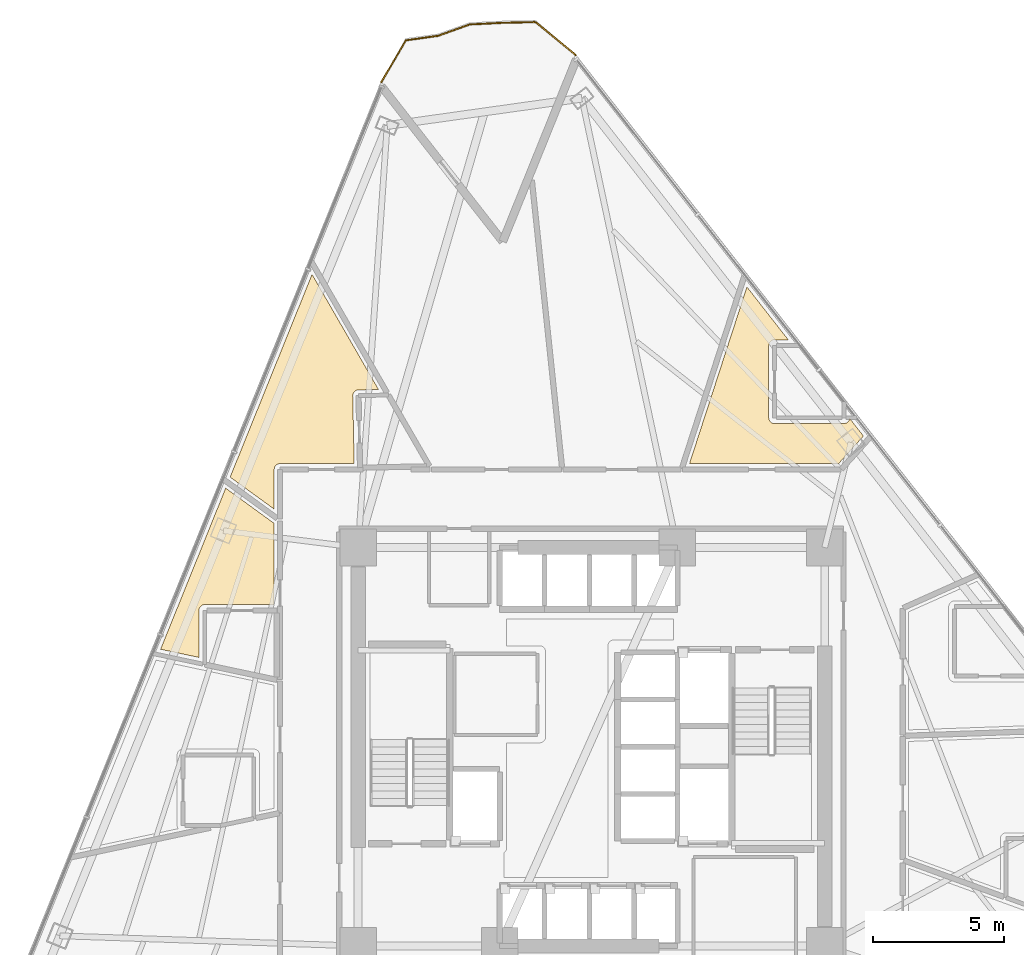
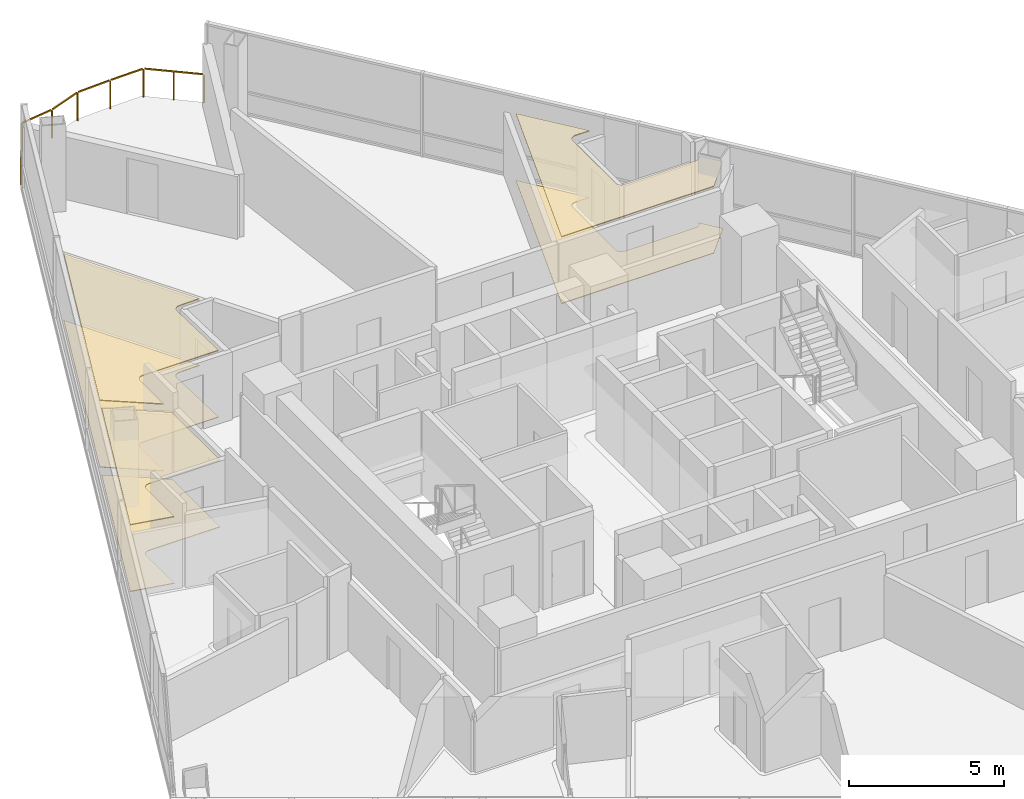
# One storey, part 15 of 15: 6 coverings, 1 railing.
"""IFC4 building model written with IfcOpenShell, lengths in metres."""

from ifc_helpers import new_model, si_unit, direction, frame, origin, origin_2d, place, context, subcontext, project, spatial, polyline, rectangle, outline, extrude, material, layer, layer_set, type_object, element, save


model = new_model("IFC4")

# Units and contexts
model_context = context("Model", 3, precision=1e-05, world=origin(), true_north=direction((0.0, 1.0)))
body_context = subcontext(model_context, "Body", "Model", "MODEL_VIEW")
ifc_project = project(units=[si_unit("LENGTHUNIT", "METRE"), si_unit("AREAUNIT", "SQUARE_METRE"), si_unit("VOLUMEUNIT", "CUBIC_METRE"), si_unit("PLANEANGLEUNIT", "RADIAN"), si_unit("MASSUNIT", "GRAM", prefix="KILO")], contexts=[model_context])

# Site, building, storey
site_placement = place(None, origin())
site = spatial("IfcSite", under=ifc_project, at=site_placement, CompositionType="ELEMENT")
building_placement = place(site_placement, origin())
building = spatial("IfcBuilding", under=site, at=building_placement, Name="Tharavind Bronze Gate", CompositionType="ELEMENT")
storey_placement = place(building_placement, frame((0.0, 0.0, 63.85009765625)))
storey = spatial("IfcBuildingStorey", under=building, at=storey_placement, Name="L15", CompositionType="ELEMENT", Elevation=63.85009765625)

# Coverings
ifc_material_1 = material(Name="Engineered Oak & Carpet Tile", Category="wood")
ifc_layer_1 = layer(ifc_material_1, 0.02490234375)
ifc_layer_set_1 = layer_set([ifc_layer_1], Name="Engineered Oak & Carpet Tile")
covering_type_1 = type_object("IfcCoveringType", Name="ENGINEERED TIMBER FLOORING", PredefinedType="FLOORING", material=ifc_layer_set_1)
covering_1_placement = place(storey_placement, origin())
element("IfcCovering", 1, at=covering_1_placement, inside=storey, type_object=covering_type_1, Name="L15-RM-02 floor finish", PredefinedType="FLOORING", context=body_context, shape_type="SweptSolid", body=[
    extrude(outline(polyline([(9.42822265625, 10.800048828125), (10.376953125, 11.853515625), (9.852783203125, 12.5244140625), (9.85009765625, 12.507080078125), (9.844970703125, 12.486083984375), (9.837646484375, 12.4658203125), (9.828369140625, 12.4462890625), (9.817138671875, 12.427734375), (9.804443359375, 12.410400390625), (9.789794921875, 12.394287109375), (9.77392578125, 12.3798828125), (9.756591796875, 12.3671875), (9.738037109375, 12.35595703125), (9.718505859375, 12.3466796875), (9.6982421875, 12.339599609375), (9.67724609375, 12.334228515625), (9.656005859375, 12.3310546875), (9.63427734375, 12.330078125), (6.984375, 12.330078125), (6.962890625, 12.3310546875), (6.94140625, 12.334228515625), (6.92041015625, 12.339599609375), (6.900146484375, 12.3466796875), (6.880615234375, 12.35595703125), (6.862060546875, 12.3671875), (6.8447265625, 12.3798828125), (6.828857421875, 12.394287109375), (6.814208984375, 12.410400390625), (6.801513671875, 12.427734375), (6.790283203125, 12.4462890625), (6.781005859375, 12.4658203125), (6.773681640625, 12.486083984375), (6.7685546875, 12.507080078125), (6.765380859375, 12.5283203125), (6.764404296875, 12.550048828125), (6.764404296875, 15.300048828125), (6.765380859375, 15.321533203125), (6.7685546875, 15.343017578125), (6.773681640625, 15.364013671875), (6.781005859375, 15.38427734375), (6.790283203125, 15.40380859375), (6.801513671875, 15.422119140625), (6.814208984375, 15.439697265625), (6.828857421875, 15.45556640625), (6.8447265625, 15.47021484375), (6.862060546875, 15.48291015625), (6.880615234375, 15.493896484375), (6.900146484375, 15.50341796875), (6.92041015625, 15.510498046875), (6.94140625, 15.515869140625), (6.962890625, 15.518798828125), (6.984375, 15.52001953125), (7.51220703125, 15.52001953125), (5.931396484375, 17.543212890625), (3.740478515625, 10.800048828125), (9.42822265625, 10.800048828125)])), origin(), (0.0, 0.0, 1.0), 0.02490234375),
])
covering_2_placement = place(storey_placement, origin())
element("IfcCovering", 2, at=covering_2_placement, inside=storey, type_object=covering_type_1, Name="L15-RM-05 floor finish", PredefinedType="FLOORING", context=body_context, shape_type="SweptSolid", body=[
    extrude(outline(polyline([(-12.10009765625, 9.06298828125), (-12.10009765625, 10.579345703125), (-12.099609375, 10.590087890625), (-12.099609375, 10.5908203125), (-12.09765625, 10.6123046875), (-12.093505859375, 10.63330078125), (-12.087158203125, 10.654052734375), (-12.078857421875, 10.674072265625), (-12.068603515625, 10.693115234375), (-12.056640625, 10.7109375), (-12.04296875, 10.727783203125), (-12.027587890625, 10.742919921875), (-12.010986328125, 10.756591796875), (-11.9931640625, 10.768798828125), (-11.97412109375, 10.77880859375), (-11.9541015625, 10.787109375), (-11.933349609375, 10.79345703125), (-11.912353515625, 10.797607421875), (-11.890869140625, 10.7998046875), (-11.89013671875, 10.7998046875), (-11.87939453125, 10.800048828125), (-9.05029296875, 10.800048828125), (-9.10498046875, 13.388916015625), (-9.104248046875, 13.41064453125), (-9.1015625, 13.431884765625), (-9.0966796875, 13.452880859375), (-9.08984375, 13.473388671875), (-9.0810546875, 13.4931640625), (-9.0703125, 13.511962890625), (-9.057861328125, 13.529541015625), (-9.043701171875, 13.5458984375), (-9.028076171875, 13.560791015625), (-9.010986328125, 13.573974609375), (-8.99267578125, 13.58544921875), (-8.973388671875, 13.59521484375), (-8.953125, 13.602783203125), (-8.932373046875, 13.6083984375), (-8.9111328125, 13.612060546875), (-8.8896484375, 13.613525390625), (-8.123046875, 13.629638671875), (-10.65771484375, 18.01953125), (-13.782470703125, 10.285400390625), (-12.10009765625, 9.06298828125)])), origin(), (0.0, 0.0, 1.0), 0.02490234375),
])
covering_3_placement = place(storey_placement, origin())
element("IfcCovering", 3, at=covering_3_placement, inside=storey, type_object=covering_type_1, Name="L15-RM-06 floor finish", PredefinedType="FLOORING", context=body_context, shape_type="SweptSolid", body=[
    extrude(outline(polyline([(-14.969970703125, 3.406982421875), (-14.969970703125, 5.20068359375), (-14.968994140625, 5.22216796875), (-14.9658203125, 5.24365234375), (-14.96044921875, 5.264404296875), (-14.953369140625, 5.284912109375), (-14.944091796875, 5.304443359375), (-14.932861328125, 5.322998046875), (-14.920166015625, 5.340087890625), (-14.905517578125, 5.356201171875), (-14.8896484375, 5.37060546875), (-14.872314453125, 5.383544921875), (-14.853759765625, 5.394775390625), (-14.834228515625, 5.40380859375), (-14.81396484375, 5.4111328125), (-14.79296875, 5.41650390625), (-14.771484375, 5.419677734375), (-14.75, 5.420654296875), (-12.10009765625, 5.420654296875), (-12.10009765625, 8.519287109375), (-13.952392578125, 9.864990234375), (-16.435791015625, 3.718505859375), (-14.969970703125, 3.406982421875)])), origin(), (0.0, 0.0, 1.0), 0.02490234375),
])
ifc_material_2 = material(Name="Acoustic Gypsum Board", Category="gypsum")
ifc_layer_2 = layer(ifc_material_2, 0.030029296875)
ifc_layer_set_2 = layer_set([ifc_layer_2], Name="Acoustic Gypsum Board")
covering_type_2 = type_object("IfcCoveringType", Name="GYPSUM SUSPENDED CEILING", PredefinedType="CEILING", material=ifc_layer_set_2)
covering_4_placement = place(storey_placement, frame((0.0, 0.0, 2.625)))
element("IfcCovering", 4, at=covering_4_placement, inside=storey, type_object=covering_type_2, Name="L15-RM-02 suspended ceiling", PredefinedType="CEILING", context=body_context, shape_type="SweptSolid", body=[
    extrude(outline(polyline([(9.42822265625, 10.800048828125), (10.376953125, 11.853515625), (9.852783203125, 12.5244140625), (9.85009765625, 12.507080078125), (9.844970703125, 12.486083984375), (9.837646484375, 12.4658203125), (9.828369140625, 12.4462890625), (9.817138671875, 12.427734375), (9.804443359375, 12.410400390625), (9.789794921875, 12.394287109375), (9.77392578125, 12.3798828125), (9.756591796875, 12.3671875), (9.738037109375, 12.35595703125), (9.718505859375, 12.3466796875), (9.6982421875, 12.339599609375), (9.67724609375, 12.334228515625), (9.656005859375, 12.3310546875), (9.63427734375, 12.330078125), (6.984375, 12.330078125), (6.962890625, 12.3310546875), (6.94140625, 12.334228515625), (6.92041015625, 12.339599609375), (6.900146484375, 12.3466796875), (6.880615234375, 12.35595703125), (6.862060546875, 12.3671875), (6.8447265625, 12.3798828125), (6.828857421875, 12.394287109375), (6.814208984375, 12.410400390625), (6.801513671875, 12.427734375), (6.790283203125, 12.4462890625), (6.781005859375, 12.4658203125), (6.773681640625, 12.486083984375), (6.7685546875, 12.507080078125), (6.765380859375, 12.5283203125), (6.764404296875, 12.550048828125), (6.764404296875, 15.300048828125), (6.765380859375, 15.321533203125), (6.7685546875, 15.343017578125), (6.773681640625, 15.364013671875), (6.781005859375, 15.38427734375), (6.790283203125, 15.40380859375), (6.801513671875, 15.422119140625), (6.814208984375, 15.439697265625), (6.828857421875, 15.45556640625), (6.8447265625, 15.47021484375), (6.862060546875, 15.48291015625), (6.880615234375, 15.493896484375), (6.900146484375, 15.50341796875), (6.92041015625, 15.510498046875), (6.94140625, 15.515869140625), (6.962890625, 15.518798828125), (6.984375, 15.52001953125), (7.51220703125, 15.52001953125), (5.931396484375, 17.543212890625), (3.740478515625, 10.800048828125), (9.42822265625, 10.800048828125)])), origin(), (0.0, 0.0, 1.0), 0.034912109375),
])
covering_5_placement = place(storey_placement, frame((0.0, 0.0, 2.625)))
element("IfcCovering", 5, at=covering_5_placement, inside=storey, type_object=covering_type_2, Name="L15-RM-05 suspended ceiling", PredefinedType="CEILING", context=body_context, shape_type="SweptSolid", body=[
    extrude(outline(polyline([(-12.10009765625, 9.06298828125), (-12.10009765625, 10.579345703125), (-12.099609375, 10.590087890625), (-12.099609375, 10.5908203125), (-12.09765625, 10.6123046875), (-12.093505859375, 10.63330078125), (-12.087158203125, 10.654052734375), (-12.078857421875, 10.674072265625), (-12.068603515625, 10.693115234375), (-12.056640625, 10.7109375), (-12.04296875, 10.727783203125), (-12.027587890625, 10.742919921875), (-12.010986328125, 10.756591796875), (-11.9931640625, 10.768798828125), (-11.97412109375, 10.77880859375), (-11.9541015625, 10.787109375), (-11.933349609375, 10.79345703125), (-11.912353515625, 10.797607421875), (-11.890869140625, 10.7998046875), (-11.89013671875, 10.7998046875), (-11.87939453125, 10.800048828125), (-9.05029296875, 10.800048828125), (-9.10498046875, 13.388916015625), (-9.104248046875, 13.41064453125), (-9.1015625, 13.431884765625), (-9.0966796875, 13.452880859375), (-9.08984375, 13.473388671875), (-9.0810546875, 13.4931640625), (-9.0703125, 13.511962890625), (-9.057861328125, 13.529541015625), (-9.043701171875, 13.5458984375), (-9.028076171875, 13.560791015625), (-9.010986328125, 13.573974609375), (-8.99267578125, 13.58544921875), (-8.973388671875, 13.59521484375), (-8.953125, 13.602783203125), (-8.932373046875, 13.6083984375), (-8.9111328125, 13.612060546875), (-8.8896484375, 13.613525390625), (-8.123046875, 13.629638671875), (-10.65771484375, 18.01953125), (-13.782470703125, 10.285400390625), (-12.10009765625, 9.06298828125)])), origin(), (0.0, 0.0, 1.0), 0.034912109375),
])
covering_6_placement = place(storey_placement, frame((0.0, 0.0, 2.625)))
element("IfcCovering", 6, at=covering_6_placement, inside=storey, type_object=covering_type_2, Name="L15-RM-06 suspended ceiling", PredefinedType="CEILING", context=body_context, shape_type="SweptSolid", body=[
    extrude(outline(polyline([(-14.969970703125, 3.406982421875), (-14.969970703125, 5.20068359375), (-14.968994140625, 5.22216796875), (-14.9658203125, 5.24365234375), (-14.96044921875, 5.264404296875), (-14.953369140625, 5.284912109375), (-14.944091796875, 5.304443359375), (-14.932861328125, 5.322998046875), (-14.920166015625, 5.340087890625), (-14.905517578125, 5.356201171875), (-14.8896484375, 5.37060546875), (-14.872314453125, 5.383544921875), (-14.853759765625, 5.394775390625), (-14.834228515625, 5.40380859375), (-14.81396484375, 5.4111328125), (-14.79296875, 5.41650390625), (-14.771484375, 5.419677734375), (-14.75, 5.420654296875), (-12.10009765625, 5.420654296875), (-12.10009765625, 8.519287109375), (-13.952392578125, 9.864990234375), (-16.435791015625, 3.718505859375), (-14.969970703125, 3.406982421875)])), origin(), (0.0, 0.0, 1.0), 0.034912109375),
])

# Railing
ifc_material_3 = material(Name="Bronze Cap & Laminated Glass", Category="glass")
railing_type = type_object("IfcRailingType", Name="TERRACE GLASS GUARD RAILING 1150", PredefinedType="GUARDRAIL", material=ifc_material_3)
railing_placement = place(storey_placement, frame((-8.02294921875, 25.341552734375, 0.0)))
element("IfcRailing", 7, at=railing_placement, inside=storey, type_object=railing_type, Name="L15 tree balcony guard railing", PredefinedType="GUARDRAIL", context=body_context, shape_type="SweptSolid", body=[
    extrude(rectangle(XDim=0.048095703125, YDim=0.048095703125, at=origin_2d()), frame((0.01611328125, 0.027587890625, 1.1259765625), z_axis=(0.5072203259, 0.861816419543, 0.0), x_axis=(-0.861816419543, 0.5072203259, 0.0)), (0.0, 0.0, 1.0), 1.80126953125),
    extrude(rectangle(XDim=0.048095703125, YDim=0.048095703125, at=origin_2d()), frame((0.977783203125, 1.61181640625, 1.1259765625), z_axis=(0.99028265427, 0.139069280047, 0.0), x_axis=(-0.139069280047, 0.99028265427, 0.0)), (0.0, 0.0, 1.0), 1.18603515625),
    extrude(rectangle(XDim=0.048095703125, YDim=0.048095703125, at=origin_2d()), frame((2.2138671875, 1.7919921875, 1.1259765625), z_axis=(0.941126052549, 0.338055843337, 0.0), x_axis=(-0.338055843337, 0.941126052549, 0.0)), (0.0, 0.0, 1.0), 1.212890625),
    extrude(rectangle(XDim=0.048095703125, YDim=0.048095703125, at=origin_2d()), frame((3.41748046875, 2.214599609375, 1.1259765625), z_axis=(0.998749426413, 0.049995832214, 0.0), x_axis=(-0.049995832214, 0.998749426413, 0.0)), (0.0, 0.0, 1.0), 1.19091796875),
    extrude(rectangle(XDim=0.048095703125, YDim=0.048095703125, at=origin_2d()), frame((4.6708984375, 2.2763671875, 1.1259765625), z_axis=(0.999759833143, 0.021915200998, 0.0), x_axis=(-0.021915200998, 0.999759833143, 0.0)), (0.0, 0.0, 1.0), 1.19482421875),
    extrude(rectangle(XDim=0.048095703125, YDim=0.048095703125, at=origin_2d()), frame((5.922119140625, 2.282958984375, 1.1259765625), z_axis=(0.772015598117, -0.635603584212, 0.0), x_axis=(0.635603584212, 0.772015598117, 0.0)), (0.0, 0.0, 1.0), 1.917236328125),
    extrude(rectangle(XDim=0.0400390625, YDim=0.0400390625, at=origin_2d()), origin(), (0.0, 0.0, 1.0), 1.097900390625),
    extrude(rectangle(XDim=0.0400390625, YDim=0.0400390625, at=origin_2d()), frame((0.47314453125, 0.8037109375, 0.0)), (0.0, 0.0, 1.0), 1.097900390625),
    extrude(rectangle(XDim=0.0400390625, YDim=0.0400390625, at=origin_2d()), frame((0.946044921875, 1.607421875, 0.0)), (0.0, 0.0, 1.0), 1.097900390625),
    extrude(rectangle(XDim=0.0400390625, YDim=0.0400390625, at=origin_2d()), frame((2.183837890625, 1.78125, 0.0)), (0.0, 0.0, 1.0), 1.097900390625),
    extrude(rectangle(XDim=0.0400390625, YDim=0.0400390625, at=origin_2d()), frame((3.385498046875, 2.212890625, 0.0)), (0.0, 0.0, 1.0), 1.097900390625),
    extrude(rectangle(XDim=0.0400390625, YDim=0.0400390625, at=origin_2d()), frame((4.638916015625, 2.275634765625, 0.0)), (0.0, 0.0, 1.0), 1.097900390625),
    extrude(rectangle(XDim=0.0400390625, YDim=0.0400390625, at=origin_2d()), frame((5.8974609375, 2.30322265625, 0.0)), (0.0, 0.0, 1.0), 1.097900390625),
    extrude(rectangle(XDim=0.0400390625, YDim=0.0400390625, at=origin_2d()), frame((6.662109375, 1.673583984375, 0.0)), (0.0, 0.0, 1.0), 1.097900390625),
    extrude(rectangle(XDim=0.0400390625, YDim=0.0400390625, at=origin_2d()), frame((7.427001953125, 1.0439453125, 0.0)), (0.0, 0.0, 1.0), 1.097900390625),
])

save(model, "model.ifc")
